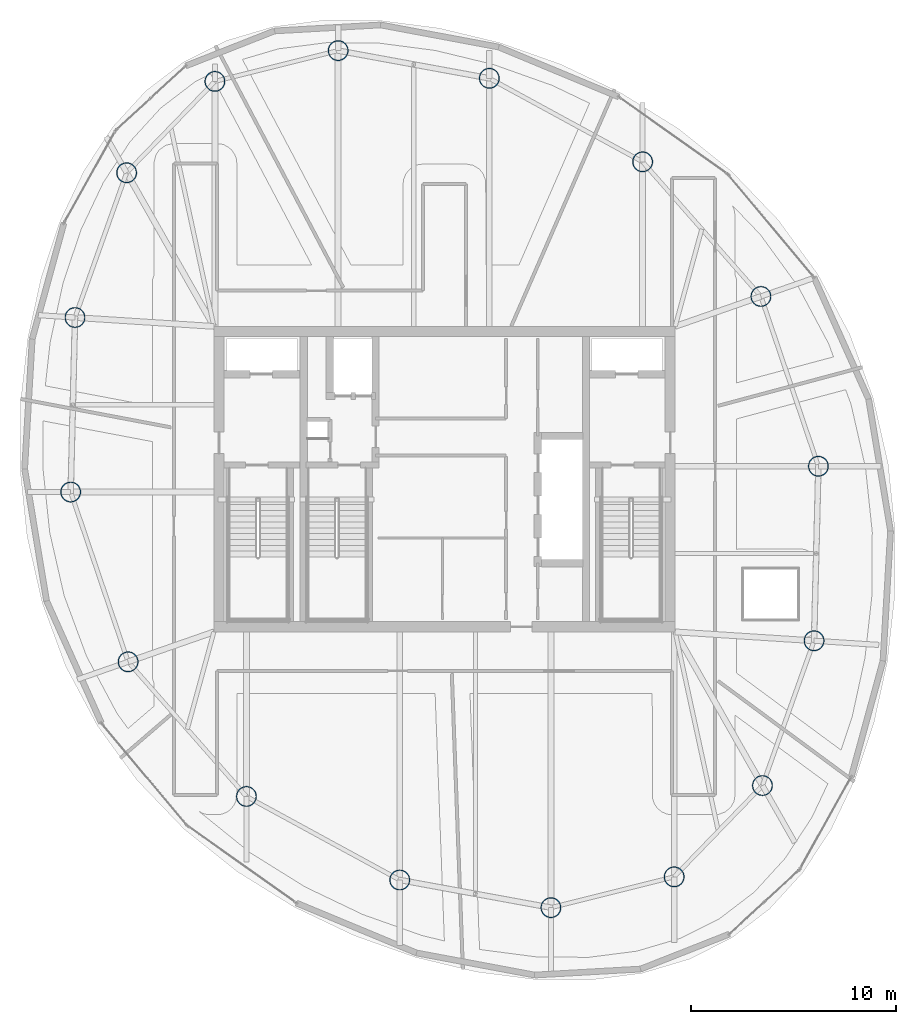
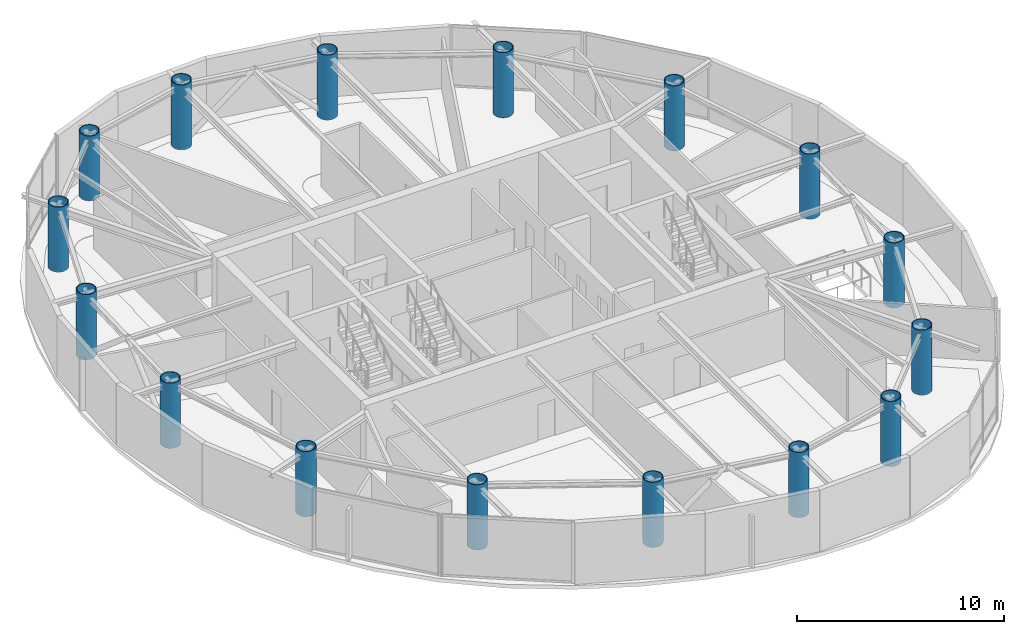
# One storey, part 1 of 17: 16 columns.
"""IFC4 building model written with IfcOpenShell, lengths in metres."""

from ifc_helpers import new_model, si_unit, direction, frame, origin, origin_2d, place, context, subcontext, project, spatial, hollow_circle, extrude, material, material_profile, profile_set, type_object, element, save


model = new_model("IFC4")

# Units and contexts
model_context = context("Model", 3, precision=1e-05, world=origin(), true_north=direction((0.0, 1.0)))
body_context = subcontext(model_context, "Body", "Model", "MODEL_VIEW")
ifc_project = project(units=[si_unit("LENGTHUNIT", "METRE"), si_unit("AREAUNIT", "SQUARE_METRE"), si_unit("VOLUMEUNIT", "CUBIC_METRE"), si_unit("PLANEANGLEUNIT", "RADIAN"), si_unit("MASSUNIT", "GRAM", prefix="KILO")], contexts=[model_context])

# Site, building, storey
site_placement = place(None, origin())
site = spatial("IfcSite", under=ifc_project, at=site_placement, CompositionType="ELEMENT")
building_placement = place(site_placement, origin())
building = spatial("IfcBuilding", under=site, at=building_placement, Name="Bramvorn Convention Spire", CompositionType="ELEMENT")
storey_placement = place(building_placement, frame((0.0, 0.0, 265.14990234375)))
storey = spatial("IfcBuildingStorey", under=building, at=storey_placement, Name="L67", CompositionType="ELEMENT", Elevation=265.14990234375)

# Columns
ifc_material = material(Name="Steel CSA G40.21 Grade 350 (350W)", Category="steel")
ifc_material_profile = material_profile(ifc_material, hollow_circle(Radius=0.5, WallThickness=0.044921875, at=origin_2d()))
ifc_profile_set = profile_set([ifc_material_profile], Name="Steel CSA G40.21 Grade 350 (350W) - CFT1000X45")
column_type = type_object("IfcColumnType", Name="COL-CFT1000X45", PredefinedType="COLUMN", material=ifc_profile_set)
for number, where, z_axis, x_axis, name in (
    (1, (49.199951171875, 6.60107421875, 0.0), (0.0, 0.0, 1.0), (1.0, 0.0, 0.0), "L67 composite CFT mega-column MC01"),
    (2, (53.50634765625, 11.05615234375, 0.0), (0.0, 0.0, 1.0), (1.0, 0.0, 0.0), "L67 composite CFT mega-column MC02"),
    (3, (56.023681640625, 18.116455078125, 0.0), (0.0, 0.0, 1.0), (1.0, 0.0, 0.0), "L67 composite CFT mega-column MC03"),
    (4, (56.234619140625, 26.62939453125, 0.0), (0.0, 0.0, 1.0), (1.0, 0.0, 0.0), "L67 composite CFT mega-column MC04"),
    (5, (53.4326171875, 34.909912109375, 0.0), (0.0, 0.0, 1.0), (1.0, 0.0, 0.0), "L67 composite CFT mega-column MC05"),
    (6, (47.662353515625, 41.476806640625, 0.0), (0.0, 0.0, 1.0), (1.0, 0.0, 0.0), "L67 composite CFT mega-column MC06"),
    (7, (40.1845703125, 45.55078125, 0.0), (0.0, 0.0, 1.0), (1.0, 0.0, 0.0), "L67 composite CFT mega-column MC07"),
    (8, (32.8115234375, 46.90087890625, 0.0), (0.0, 0.0, 1.0), (1.0, 0.0, 0.0), "L67 composite CFT mega-column MC08"),
    (9, (26.800048828125, 45.39892578125, 0.0), (0.0, 0.0, 1.0), (1.0, 0.0, 0.0), "L67 composite CFT mega-column MC09"),
    (10, (22.49365234375, 40.94384765625, 0.0), (0.0, 0.0, 1.0), (1.0, 0.0, 0.0), "L67 composite CFT mega-column MC10"),
    (11, (19.976318359375, 33.883544921875, 0.0), (0.0, 0.0, 1.0), (1.0, 0.0, 0.0), "L67 composite CFT mega-column MC11"),
    (12, (19.765380859375, 25.37060546875, 0.0), (0.0, 0.0, 1.0), (1.0, 0.0, 0.0), "L67 composite CFT mega-column MC12"),
    (13, (22.5673828125, 17.090087890625, 0.0), (0.0, 0.0, 1.0), (1.0, 0.0, 0.0), "L67 composite CFT mega-column MC13"),
    (14, (28.337646484375, 10.523193359375, 0.0), (0.0, 0.0, 1.0), (1.0, 0.0, 0.0), "L67 composite CFT mega-column MC14"),
    (15, (35.8154296875, 6.44921875, 0.0), (0.0, 0.0, 1.0), (1.0, 0.0, 0.0), "L67 composite CFT mega-column MC15"),
    (16, (43.1884765625, 5.09912109375, 0.0), (0.0, 0.0, 1.0), (1.0, 0.0, 0.0), "L67 composite CFT mega-column MC16"),
):
    element("IfcColumn", number, at=place(storey_placement, frame(where, z_axis=z_axis, x_axis=x_axis)), inside=storey, type_object=column_type, Name=name, PredefinedType="COLUMN", context=body_context, shape_type="SweptSolid", body=[
        extrude(hollow_circle(Radius=0.5, WallThickness=0.044921875, at=origin_2d()), origin(), (0.0, 0.0, 1.0), 3.85009765625),
    ])

save(model, "model.ifc")
